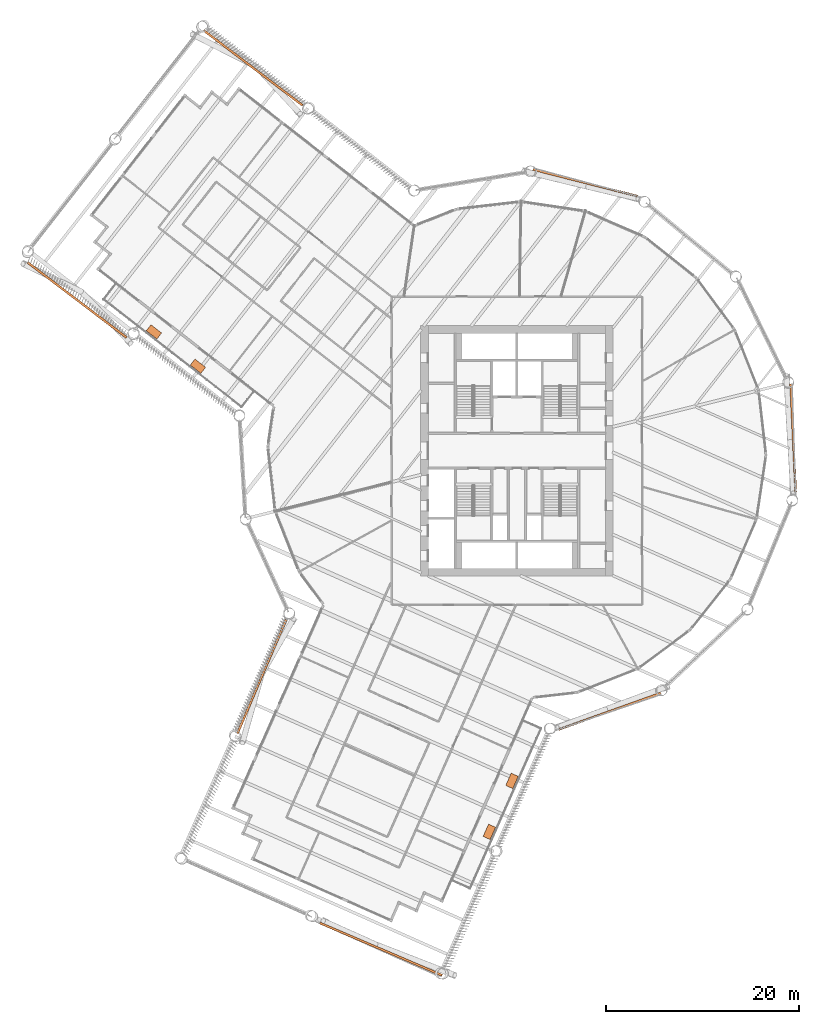
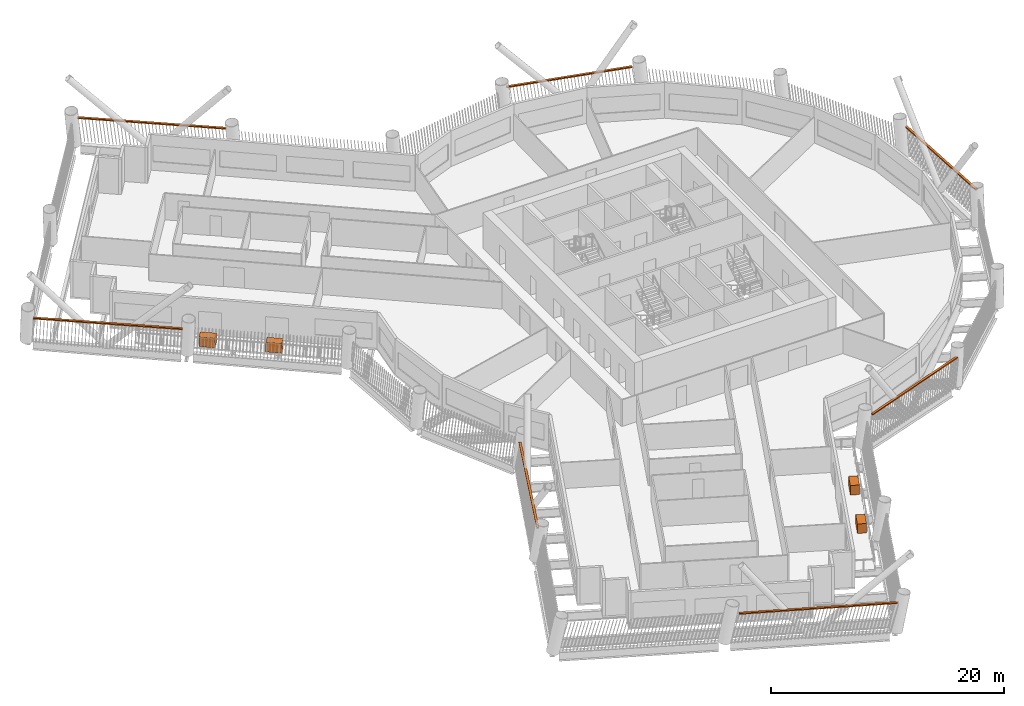
# One storey, part 22 of 22: 11 proxies.
"""IFC4 building model written with IfcOpenShell, lengths in metres."""

import ifcopenshell
import ifcopenshell.guid

model = None  # the IFC model being written
_history = None  # IfcOwnerHistory: only IFC2X3 demands one
_inside = {}  # id of a spatial element -> (the spatial element, [elements in it])
_under = {}  # id of a project, library or spatial element -> (it, [spatial elements below it])
_declared = {}  # id of a project -> (the project, [libraries it declares])
_typed = {}  # id of a type object -> (the type object, [elements of that type])
_made_of = {}  # id of a material, layer set ... -> (it, [elements and type objects made of it])


def new_model(schema):
    """Start an empty IFC model of exactly this schema.

    Asked for "IFC4X3", IfcOpenShell would pick the latest addendum, in which some entities
    have other attributes; the version numbers below select the first issue.
    IFC2X3 requires an IfcOwnerHistory on every rooted entity: one is made here for all.
    """
    global model, _history
    if schema == "IFC4X3":
        model = ifcopenshell.file(schema_version=(4, 3, 0, 0))
    else:
        model = ifcopenshell.file(schema=schema)
    _inside.clear()
    _under.clear()
    _declared.clear()
    _typed.clear()
    _made_of.clear()
    _history = None
    if model.schema == "IFC2X3":
        org = make("IfcOrganization", Name="unknown")
        user = make(
            "IfcPersonAndOrganization",
            ThePerson=make("IfcPerson", FamilyName="unknown"),
            TheOrganization=org,
        )
        app = make(
            "IfcApplication",
            ApplicationDeveloper=org,
            Version="unknown",
            ApplicationFullName="unknown",
            ApplicationIdentifier="unknown",
        )
        _history = make(
            "IfcOwnerHistory",
            OwningUser=user,
            OwningApplication=app,
            ChangeAction="ADDED",
            CreationDate=0,
        )
    return model


def make(cls, **values):
    """One entity of the class cls with the attributes given. An attribute that is None is left unset."""
    return model.create_entity(
        cls, **{name: value for name, value in values.items() if value is not None}
    )


def rooted(cls, **values):
    """An entity with a GlobalId (a new one), such as an element, a storey or a relation."""
    return make(cls, GlobalId=ifcopenshell.guid.new(), OwnerHistory=_history, **values)


def si_unit(unit_type, name, prefix=None):
    """IfcSIUnit, for example si_unit("LENGTHUNIT", "METRE", prefix="MILLI")."""
    return make("IfcSIUnit", UnitType=unit_type, Prefix=prefix, Name=name)


def assignment(units):
    """IfcUnitAssignment: the units of a project."""
    return None if units is None else make("IfcUnitAssignment", Units=units)


def point(xyz):
    """IfcCartesianPoint."""
    return None if xyz is None else make("IfcCartesianPoint", Coordinates=xyz)


def direction(xyz):
    """IfcDirection."""
    return None if xyz is None else make("IfcDirection", DirectionRatios=xyz)


def frame(location, z_axis=None, x_axis=None):
    """IfcAxis2Placement3D, a coordinate frame: its origin and axes. An axis left out is left unset."""
    return make(
        "IfcAxis2Placement3D",
        Location=point(location),
        Axis=direction(z_axis),
        RefDirection=direction(x_axis),
    )


def frame_2d(location, x_axis=None):
    """IfcAxis2Placement2D, a coordinate frame in the plane: its origin and x axis."""
    return make(
        "IfcAxis2Placement2D", Location=point(location), RefDirection=direction(x_axis)
    )


def origin():
    """The frame at (0, 0, 0) with its axes left unset."""
    return frame((0.0, 0.0, 0.0))


def origin_2d():
    """The frame at (0, 0) in the plane with its x axis left unset."""
    return frame_2d((0.0, 0.0))


def place(relative_to, where):
    """IfcLocalPlacement: puts the frame where relative to a parent placement (None: the world)."""
    return make(
        "IfcLocalPlacement", PlacementRelTo=relative_to, RelativePlacement=where
    )


def context(
    kind, dimensions, precision=None, world=None, true_north=None, identifier=None
):
    """IfcGeometricRepresentationContext, for example the 3D "Model" context."""
    return make(
        "IfcGeometricRepresentationContext",
        ContextIdentifier=identifier,
        ContextType=kind,
        CoordinateSpaceDimension=dimensions,
        Precision=precision,
        WorldCoordinateSystem=world,
        TrueNorth=true_north,
    )


def subcontext(parent, identifier, kind, view, scale=None):
    """IfcGeometricRepresentationSubContext, for example "Body" below "Model"."""
    return make(
        "IfcGeometricRepresentationSubContext",
        ContextIdentifier=identifier,
        ContextType=kind,
        ParentContext=parent,
        TargetScale=scale,
        TargetView=view,
    )


def project(units=None, contexts=None):
    """IfcProject with its units and contexts."""
    return rooted(
        "IfcProject",
        Name="project",
        RepresentationContexts=contexts,
        UnitsInContext=assignment(units),
    )


def spatial(cls, under=None, at=None, **own):
    """A site, building, storey or space (cls), placed at a placement, below another one or the project."""
    s = rooted(cls, ObjectPlacement=at, **own)
    if under is not None:
        _under.setdefault(under.id(), (under, []))[1].append(s)
    return s


def profile(cls, at=None, kind="AREA", **sizes):
    """A parametric profile (cls). Its sizes go by their IFC names, for example OverallWidth=200.0."""
    return make(cls, ProfileType=kind, Position=at, **sizes)


def rectangle(**sizes):
    """IfcRectangleProfileDef."""
    return profile("IfcRectangleProfileDef", **sizes)


def extrude(swept, where, along, depth):
    """IfcExtrudedAreaSolid: the profile swept, set in the frame where, extruded along a direction by depth."""
    return make(
        "IfcExtrudedAreaSolid",
        SweptArea=swept,
        Position=where,
        ExtrudedDirection=direction(along),
        Depth=depth,
    )


def shape(context_of_items, identifier, shape_type, items):
    """IfcShapeRepresentation: the items that make up one representation, for example the "Body"."""
    return make(
        "IfcShapeRepresentation",
        ContextOfItems=context_of_items,
        RepresentationIdentifier=identifier,
        RepresentationType=shape_type,
        Items=items,
    )


def material(Name=None, Category=None):
    """IfcMaterial."""
    return make("IfcMaterial", Name=Name, Category=Category)


def made_of(thing, what):
    """Note that an element or type object is made of a material, layer set ...; save() writes the relation."""
    if what is not None:
        _made_of.setdefault(what.id(), (what, []))[1].append(thing)
    return thing


def type_object(cls, material=None, **own):
    """A type object (cls), such as IfcWallType, which elements share."""
    return made_of(rooted(cls, **own), material)


def element(
    cls,
    number,
    at=None,
    inside=None,
    cuts=None,
    type_object=None,
    material=None,
    context=None,
    identifier="Body",
    shape_type=None,
    held_by="IfcProductDefinitionShape",
    body=None,
    shapes=None,
    **own,
):
    """One element of the class cls, such as IfcWall. Its Tag is "e" and its number.

    at: its placement. inside: the storey or other place that contains it. cuts: it is an
    opening in that element (IfcRelVoidsElement). A single representation is given by context,
    identifier, shape_type and body (its items); several are given by shapes. held_by: the class
    of the entity that holds the representations. save() writes the other relations.
    """
    e = rooted(cls, Tag="e%d" % number, ObjectPlacement=at, **own)
    if body is not None:
        shapes = [shape(context, identifier, shape_type, body)]
    if shapes is not None:
        e.Representation = make(held_by, Representations=shapes)
    if inside is not None:
        _inside.setdefault(inside.id(), (inside, []))[1].append(e)
    if cuts is not None:
        rooted(
            "IfcRelVoidsElement", RelatingBuildingElement=cuts, RelatedOpeningElement=e
        )
    if type_object is not None:
        _typed.setdefault(type_object.id(), (type_object, []))[1].append(e)
    return made_of(e, material)


def aggregate(whole, parts):
    """IfcRelAggregates: a whole, such as a stair, and the parts it consists of."""
    return rooted("IfcRelAggregates", RelatingObject=whole, RelatedObjects=parts)


def save(model, path):
    """Write the relations noted so far, then the file.

    IfcRelAggregates (storeys below a building ...), IfcRelContainedInSpatialStructure (elements
    in a storey), IfcRelDefinesByType, IfcRelAssociatesMaterial and IfcRelDeclares: one each for
    every whole, place, type object, material and project.
    """
    for whole, parts in _under.values():
        aggregate(whole, parts)
    for where, things in _inside.values():
        rooted(
            "IfcRelContainedInSpatialStructure",
            RelatedElements=things,
            RelatingStructure=where,
        )
    for kind, things in _typed.values():
        rooted("IfcRelDefinesByType", RelatedObjects=things, RelatingType=kind)
    for what, things in _made_of.values():
        rooted("IfcRelAssociatesMaterial", RelatedObjects=things, RelatingMaterial=what)
    for by, libraries in _declared.values():
        rooted("IfcRelDeclares", RelatingContext=by, RelatedDefinitions=libraries)
    model.write(path)


model = new_model("IFC4")

# Units and contexts
model_context = context("Model", 3, precision=1e-05, world=origin(), true_north=direction((0.0, 1.0)))
body_context = subcontext(model_context, "Body", "Model", "MODEL_VIEW")
ifc_project = project(units=[si_unit("LENGTHUNIT", "METRE"), si_unit("AREAUNIT", "SQUARE_METRE"), si_unit("VOLUMEUNIT", "CUBIC_METRE"), si_unit("PLANEANGLEUNIT", "RADIAN"), si_unit("MASSUNIT", "GRAM", prefix="KILO")], contexts=[model_context])

# Site, building, storey
site_placement = place(None, origin())
site = spatial("IfcSite", under=ifc_project, at=site_placement, CompositionType="ELEMENT")
building_placement = place(site_placement, origin())
building = spatial("IfcBuilding", under=site, at=building_placement, Name="Tarsis Ring Headquarters", CompositionType="ELEMENT")
storey_placement = place(building_placement, frame((0.0, 0.0, 116.199951171875)))
storey = spatial("IfcBuildingStorey", under=building, at=storey_placement, Name="L26", CompositionType="ELEMENT", Elevation=116.199951171875)

# Proxies
ifc_material_1 = material(Name="Structural steel S355", Category="steel")
building_element_proxy_type_1 = type_object("IfcBuildingElementProxyType", Name="Screen bracket plate", PredefinedType="USERDEFINED", material=ifc_material_1)
proxy_1_placement = place(storey_placement, frame((-26.4775390625, -23.414794921875, 2.95263671875), z_axis=(0.0, 0.0, 1.0), x_axis=(-0.39362101475, -0.919272808663, 0.0)))
element("IfcBuildingElementProxy", 1, at=proxy_1_placement, inside=storey, type_object=building_element_proxy_type_1, Name="Screen bracket L26-01", ObjectType="Bracket", PredefinedType="USERDEFINED", context=body_context, shape_type="SweptSolid", body=[
    extrude(rectangle(XDim=12.90234375, YDim=0.222900390625, at=origin_2d()), origin(), (0.0, 0.0, 1.0), 0.1201171875),
])
proxy_2_placement = place(storey_placement, frame((-14.10791015625, -51.747802734375, 2.95263671875), z_axis=(0.0, 0.0, 1.0), x_axis=(0.919272801793, -0.393621030794, 0.0)))
element("IfcBuildingElementProxy", 2, at=proxy_2_placement, inside=storey, type_object=building_element_proxy_type_1, Name="Screen bracket L26-04", ObjectType="Bracket", PredefinedType="USERDEFINED", context=body_context, shape_type="SweptSolid", body=[
    extrude(rectangle(XDim=13.800048828125, YDim=0.222900390625, at=origin_2d()), origin(), (0.0, 0.0, 1.0), 0.1201171875),
])
for number, where, z_axis, x_axis, name in (
    (3, (9.643798828125, -27.051513671875, 2.95263671875), (0.0, 0.0, 1.0), (0.941932799068, 0.335801432457, 0.0), "Screen bracket L26-07"),
    (4, (28.6884765625, 1.3271484375, 2.95263671875), (0.0, 0.0, 1.0), (-0.046213013467, 0.998931607962, 0.0), "Screen bracket L26-10"),
    (5, (7.105224609375, 27.826416015625, 2.95263671875), (0.0, 0.0, 1.0), (-0.968913159561, 0.24740106958, 0.0), "Screen bracket L26-13"),
):
    element("IfcBuildingElementProxy", number, at=place(storey_placement, frame(where, z_axis=z_axis, x_axis=x_axis)), inside=storey, type_object=building_element_proxy_type_1, Name=name, ObjectType="Bracket", PredefinedType="USERDEFINED", context=body_context, shape_type="SweptSolid", body=[
        extrude(rectangle(XDim=11.248779296875, YDim=0.222900390625, at=origin_2d()), origin(), (0.0, 0.0, 1.0), 0.1201171875),
    ])
for number, where, z_axis, x_axis, name in (
    (6, (-27.39013671875, 39.757080078125, 2.95263671875), (0.0, 0.0, 1.0), (-0.796740882755, 0.604321078358, 0.0), "Screen bracket L26-16"),
    (7, (-45.669189453125, 15.657958984375, 2.95263671875), (0.0, 0.0, 1.0), (0.796740946039, -0.604320994923, 0.0), "Screen bracket L26-19"),
):
    element("IfcBuildingElementProxy", number, at=place(storey_placement, frame(where, z_axis=z_axis, x_axis=x_axis)), inside=storey, type_object=building_element_proxy_type_1, Name=name, ObjectType="Bracket", PredefinedType="USERDEFINED", context=body_context, shape_type="SweptSolid", body=[
        extrude(rectangle(XDim=12.90234375, YDim=0.222900390625, at=origin_2d()), origin(), (0.0, 0.0, 1.0), 0.1201171875),
    ])
ifc_material_2 = material(Name="Planter soil mix and tree")
building_element_proxy_type_2 = type_object("IfcBuildingElementProxyType", Name="Tree planter", PredefinedType="USERDEFINED", material=ifc_material_2)
for number, where, z_axis, x_axis, name in (
    (8, (-37.6904296875, 12.345703125, 0.0), (0.0, 0.0, 1.0), (0.788440374331, -0.61511119005, 0.0), "Tree planter L26-01.2"),
    (9, (-33.122802734375, 8.7822265625, 0.0), (0.0, 0.0, 1.0), (0.788440374331, -0.61511119005, 0.0), "Tree planter L26-01.3"),
    (10, (-2.864013671875, -39.564453125, 0.0), (0.0, 0.0, 1.0), (0.406098784914, 0.913829183651, 0.0), "Tree planter L26-16.2"),
    (11, (-0.513427734375, -34.275390625, 0.0), (0.0, 0.0, 1.0), (0.406098784914, 0.913829183651, 0.0), "Tree planter L26-16.3"),
):
    element("IfcBuildingElementProxy", number, at=place(storey_placement, frame(where, z_axis=z_axis, x_axis=x_axis)), inside=storey, type_object=building_element_proxy_type_2, Name=name, ObjectType="Planter", PredefinedType="USERDEFINED", context=body_context, shape_type="SweptSolid", body=[
        extrude(rectangle(XDim=1.39990234375, YDim=0.800048828125, at=origin_2d()), origin(), (0.0, 0.0, 1.0), 1.0),
    ])

save(model, "model.ifc")
